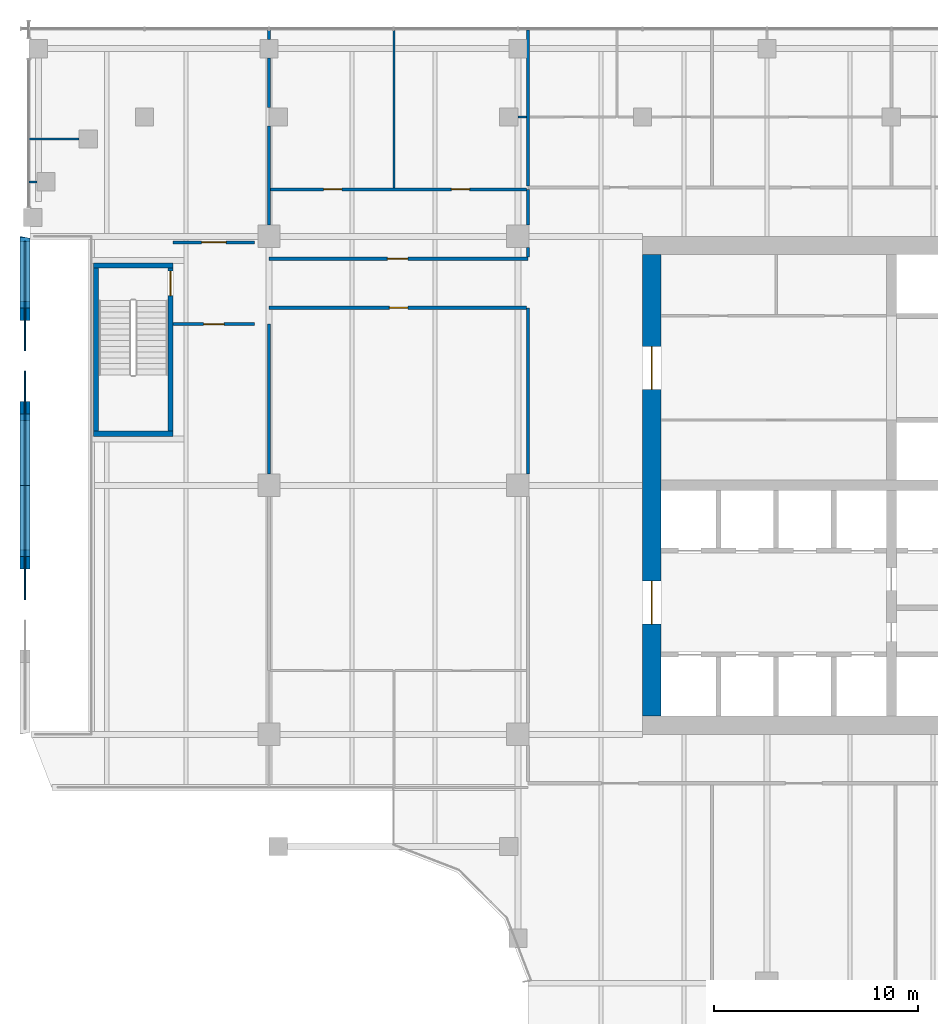
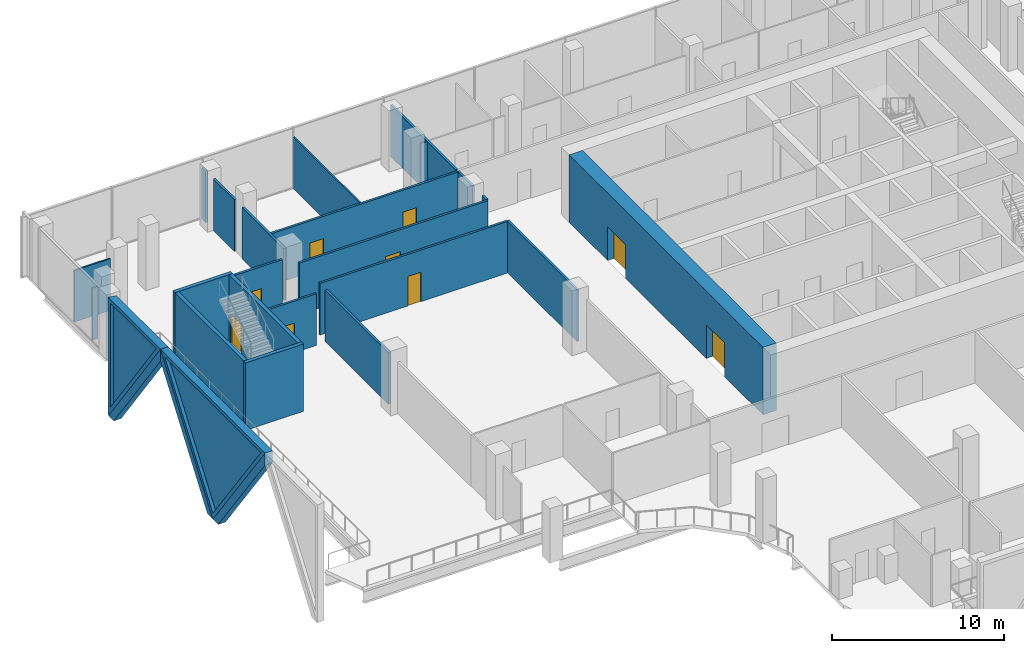
# One storey, part 23 of 33: 27 walls, 9 doors, 2 plates, 11 openings.
"""IFC4 building model written with IfcOpenShell, lengths in metres."""

from ifc_helpers import new_model, si_unit, direction, frame, frame_2d, origin, place, context, subcontext, project, spatial, polyline, rectangle, outline, extrude, faceted_brep, source, transform, mapped, material, layer, layer_set, type_object, element, fill, save


model = new_model("IFC4")

# Units and contexts
model_context = context("Model", 3, precision=1e-05, world=origin(), true_north=direction((0.0, 1.0)))
body_context = subcontext(model_context, "Body", "Model", "MODEL_VIEW")
ifc_project = project(units=[si_unit("LENGTHUNIT", "METRE"), si_unit("AREAUNIT", "SQUARE_METRE"), si_unit("VOLUMEUNIT", "CUBIC_METRE"), si_unit("PLANEANGLEUNIT", "RADIAN"), si_unit("MASSUNIT", "GRAM", prefix="KILO")], contexts=[model_context])

# Site, building, storey
site_placement = place(None, origin())
site = spatial("IfcSite", under=ifc_project, at=site_placement, CompositionType="ELEMENT")
building_placement = place(site_placement, origin())
building = spatial("IfcBuilding", under=site, at=building_placement, Name="Tessera Gate Towers", CompositionType="ELEMENT")
storey_placement = place(building_placement, frame((0.0, 0.0, 12.0)))
storey = spatial("IfcBuildingStorey", under=building, at=storey_placement, Name="L02", CompositionType="ELEMENT", Elevation=12.0)

# Walls
ifc_material_1 = material(Name="Concrete C40/50", Category="concrete")
ifc_layer_1 = layer(ifc_material_1, 0.25)
ifc_layer_set_1 = layer_set([ifc_layer_1], Name="CORE ENCLOSURE WALL 250")
wall_type_1 = type_object("IfcWallType", Name="CORE ENCLOSURE WALL 250", PredefinedType="SOLIDWALL", material=ifc_layer_set_1)
wall_1_placement = place(storey_placement, frame((7.5, 39.125, 0.0), z_axis=(0.0, 0.0, 1.0), x_axis=(-1.0, 0.0, 0.0)))
element("IfcWall", 1, at=wall_1_placement, inside=storey, type_object=wall_type_1, Name="L02 ST3 enclosure wall", PredefinedType="SOLIDWALL", context=body_context, shape_type="SweptSolid", body=[
    extrude(rectangle(XDim=3.89990234375, YDim=0.25, at=frame_2d((1.949951171875, 0.0))), origin(), (0.0, 0.0, 1.0), 4.800048828125),
])
wall_2_placement = place(storey_placement, frame((3.72509765625, 39.25, 0.0), z_axis=(0.0, 0.0, 1.0), x_axis=(0.0, 1.0, 0.0)))
element("IfcWall", 2, at=wall_2_placement, inside=storey, type_object=wall_type_1, Name="L02 ST3 enclosure wall", PredefinedType="SOLIDWALL", context=body_context, shape_type="SweptSolid", body=[
    extrude(rectangle(XDim=8.0, YDim=0.25, at=frame_2d((4.0, 0.0))), origin(), (0.0, 0.0, 1.0), 4.800048828125),
])
wall_3_placement = place(storey_placement, frame((3.60009765625, 47.375, 0.0), z_axis=(0.0, 0.0, 1.0), x_axis=(1.0, 0.0, 0.0)))
element("IfcWall", 3, at=wall_3_placement, inside=storey, type_object=wall_type_1, Name="L02 ST3 enclosure wall", PredefinedType="SOLIDWALL", context=body_context, shape_type="SweptSolid", body=[
    extrude(rectangle(XDim=3.89990234375, YDim=0.25, at=frame_2d((1.949951171875, 0.0))), origin(), (0.0, 0.0, 1.0), 4.800048828125),
])

# Wall, opening, door
wall_4_placement = place(storey_placement, frame((7.375, 47.25, 0.0), z_axis=(0.0, 0.0, 1.0), x_axis=(0.0, -1.0, 0.0)))
wall_4 = element("IfcWall", 4, at=wall_4_placement, inside=storey, type_object=wall_type_1, Name="L02 ST3 enclosure wall", PredefinedType="SOLIDWALL", context=body_context, shape_type="SweptSolid", body=[
    extrude(rectangle(XDim=8.0, YDim=0.25, at=frame_2d((4.0, 0.0))), origin(), (0.0, 0.0, 1.0), 4.800048828125),
])
shared_shape_1 = source(origin(), body_context, "Body", "SweptSolid", [
    extrude(rectangle(XDim=1.199951171875, YDim=2.10009765625, at=frame_2d((0.60009765625, 1.050048828125))), frame((0.0, 0.135009765625, 0.0), z_axis=(0.0, -1.0, 0.0), x_axis=(1.0, 0.0, 0.0)), (0.0, 0.0, 1.0), 0.27001953125),
])
opening_1_placement = place(wall_4_placement, frame((0.14990234375, 0.0, 0.0)))
opening_1 = element("IfcOpeningElement", 5, at=opening_1_placement, cuts=wall_4, Name="Opening SD-ST3-1", PredefinedType="OPENING", context=body_context, shape_type="MappedRepresentation", body=[
    mapped(shared_shape_1, transform((0.0, 0.0, 0.0), scale=1.0)),
])
ifc_material_2 = material(Name="Hollow steel fire door", Category="steel")
door_type_1 = type_object("IfcDoorType", Name="CORE DOOR SD 1200x2100", OperationType="NOTDEFINED", PredefinedType="DOOR", material=ifc_material_2)
shared_shape_2 = source(origin(), body_context, "Body", "SweptSolid", [
    extrude(rectangle(XDim=1.199951171875, YDim=2.10009765625, at=frame_2d((0.60009765625, 1.050048828125))), frame((0.0, 0.02490234375, 0.0), z_axis=(0.0, -1.0, 0.0), x_axis=(1.0, 0.0, 0.0)), (0.0, 0.0, 1.0), 0.050048828125),
])
door_1_placement = place(opening_1_placement, origin())
door_1 = element("IfcDoor", 6, at=door_1_placement, inside=storey, type_object=door_type_1, Name="Stair door", OperationType="SINGLE_SWING_LEFT", OverallHeight=2.10009765625, OverallWidth=1.199951171875, PredefinedType="DOOR", context=body_context, shape_type="MappedRepresentation", body=[
    mapped(shared_shape_2, transform((0.0, 0.0, 0.0), scale=1.0)),
])
fill(opening_1, door_1)

# Wall, openings, doors
ifc_material_3 = material(Name="Concrete C70/85", Category="concrete")
ifc_layer_2 = layer(ifc_material_3, 0.89990234375)
ifc_layer_set_2 = layer_set([ifc_layer_2], Name="CORE SHEAR WALL 900 C70/85")
wall_type_2 = type_object("IfcWallType", Name="CORE SHEAR WALL 900 C70/85", PredefinedType="SHEAR", material=ifc_layer_set_2)
wall_5_placement = place(storey_placement, frame((30.949951171875, 25.300048828125, 0.0), z_axis=(0.0, 0.0, 1.0), x_axis=(0.0, 1.0, 0.0)))
wall_5 = element("IfcWall", 7, at=wall_5_placement, inside=storey, type_object=wall_type_2, Name="Core wall W L02", PredefinedType="SHEAR", context=body_context, shape_type="SweptSolid", body=[
    extrude(rectangle(XDim=22.599853515625, YDim=0.89990234375, at=frame_2d((11.2998046875, 0.0))), origin(), (0.0, 0.0, 1.0), 4.800048828125),
])
shared_shape_3 = source(origin(), body_context, "Body", "SweptSolid", [
    extrude(rectangle(XDim=2.10009765625, YDim=2.39990234375, at=frame_2d((1.050048828125, 1.199951171875))), frame((0.0, 0.4599609375, 0.0), z_axis=(0.0, -1.0, 0.0), x_axis=(1.0, 0.0, 0.0)), (0.0, 0.0, 1.0), 0.919921875),
])
opening_2_placement = place(wall_5_placement, frame((4.5, 0.0, 0.0)))
opening_2 = element("IfcOpeningElement", 8, at=opening_2_placement, cuts=wall_5, Name="Opening DD-T1-04-02", PredefinedType="OPENING", context=body_context, shape_type="MappedRepresentation", body=[
    mapped(shared_shape_3, transform((0.0, 0.0, 0.0), scale=1.0)),
])
opening_3_placement = place(wall_5_placement, frame((16.0, 0.0, 0.0)))
opening_3 = element("IfcOpeningElement", 9, at=opening_3_placement, cuts=wall_5, Name="Opening DD-T1-04-03", PredefinedType="OPENING", context=body_context, shape_type="MappedRepresentation", body=[
    mapped(shared_shape_3, transform((0.0, 0.0, 0.0), scale=1.0)),
])
ifc_material_4 = material(Name="Hollow steel fire door", Category="steel")
door_type_2 = type_object("IfcDoorType", Name="CORE DOOR DD 2100x2400", OperationType="NOTDEFINED", PredefinedType="DOOR", material=ifc_material_4)
shared_shape_4 = source(origin(), body_context, "Body", "SweptSolid", [
    extrude(rectangle(XDim=2.10009765625, YDim=2.39990234375, at=frame_2d((1.050048828125, 1.199951171875))), frame((0.0, 0.02490234375, 0.0), z_axis=(0.0, -1.0, 0.0), x_axis=(1.0, 0.0, 0.0)), (0.0, 0.0, 1.0), 0.050048828125),
])
door_2_placement = place(opening_2_placement, origin())
door_2 = element("IfcDoor", 10, at=door_2_placement, inside=storey, type_object=door_type_2, Name="Core entrance door", OperationType="DOUBLE_DOOR_SINGLE_SWING", OverallHeight=2.39990234375, OverallWidth=2.10009765625, PredefinedType="DOOR", context=body_context, shape_type="MappedRepresentation", body=[
    mapped(shared_shape_4, transform((0.0, 0.0, 0.0), scale=1.0)),
])
fill(opening_2, door_2)
door_3_placement = place(opening_3_placement, origin())
door_3 = element("IfcDoor", 11, at=door_3_placement, inside=storey, type_object=door_type_2, Name="Core entrance door", OperationType="DOUBLE_DOOR_SINGLE_SWING", OverallHeight=2.39990234375, OverallWidth=2.10009765625, PredefinedType="DOOR", context=body_context, shape_type="MappedRepresentation", body=[
    mapped(shared_shape_4, transform((0.0, 0.0, 0.0), scale=1.0)),
])
fill(opening_3, door_3)

# Wall
ifc_material_5 = material(Name="Gypsum board on steel studs, mineral wool", Category="steel")
ifc_layer_3 = layer(ifc_material_5, 0.14990234375)
ifc_layer_set_3 = layer_set([ifc_layer_3], Name="CORRIDOR WALL 150")
wall_type_3 = type_object("IfcWallType", Name="CORRIDOR WALL 150", PredefinedType="PARTITIONING", material=ifc_layer_set_3)
wall_6_placement = place(storey_placement, frame((24.89990234375, 37.15087890625, 0.0), z_axis=(0.0, 0.0, 1.0), x_axis=(0.0, 1.0, 0.0)))
element("IfcWall", 12, at=wall_6_placement, inside=storey, type_object=wall_type_3, Name="PODIUM-L02-PW-081", PredefinedType="PARTITIONING", context=body_context, shape_type="SweptSolid", body=[
    extrude(rectangle(XDim=8.149169921875, YDim=0.14990234375, at=frame_2d((4.07470703125, 0.0))), origin(), (0.0, 0.0, 1.0), 3.672119140625),
])

# Wall, opening, door
wall_7_placement = place(storey_placement, frame((11.5, 44.5, 0.0), z_axis=(0.0, 0.0, 1.0), x_axis=(-1.0, 0.0, 0.0)))
wall_7 = element("IfcWall", 13, at=wall_7_placement, inside=storey, type_object=wall_type_3, Name="PODIUM-L02-PW-087", PredefinedType="PARTITIONING", context=body_context, shape_type="SweptSolid", body=[
    extrude(rectangle(XDim=4.0, YDim=0.14990234375, at=frame_2d((2.0, 0.0))), origin(), (0.0, 0.0, 1.0), 3.672119140625),
])
shared_shape_5 = source(origin(), body_context, "Body", "SweptSolid", [
    extrude(rectangle(XDim=1.0, YDim=2.10009765625, at=frame_2d((0.5, 1.050048828125))), frame((0.0, 0.0849609375, 0.0), z_axis=(0.0, -1.0, 0.0), x_axis=(1.0, 0.0, 0.0)), (0.0, 0.0, 1.0), 0.169921875),
])
opening_4_placement = place(wall_7_placement, frame((1.5, 0.0, 0.0)))
opening_4 = element("IfcOpeningElement", 14, at=opening_4_placement, cuts=wall_7, Name="Opening D2100FD60-P03-01", PredefinedType="OPENING", context=body_context, shape_type="MappedRepresentation", body=[
    mapped(shared_shape_5, transform((0.0, 0.0, 0.0), scale=1.0)),
])
ifc_material_6 = material(Name="Timber door leaf in steel frame", Category="steel")
door_type_3 = type_object("IfcDoorType", Name="TENANCY ENTRANCE DOOR 1000 FD60", OperationType="NOTDEFINED", PredefinedType="DOOR", material=ifc_material_6)
shared_shape_6 = source(origin(), body_context, "Body", "SweptSolid", [
    extrude(rectangle(XDim=1.0, YDim=2.10009765625, at=frame_2d((0.5, 1.050048828125))), frame((0.0, 0.02490234375, 0.0), z_axis=(0.0, -1.0, 0.0), x_axis=(1.0, 0.0, 0.0)), (0.0, 0.0, 1.0), 0.050048828125),
])
door_4_placement = place(opening_4_placement, origin())
door_4 = element("IfcDoor", 15, at=door_4_placement, inside=storey, type_object=door_type_3, Name="PODIUM-L02-PD-006", OperationType="SINGLE_SWING_RIGHT", OverallHeight=2.10009765625, OverallWidth=1.0, PredefinedType="DOOR", context=body_context, shape_type="MappedRepresentation", body=[
    mapped(shared_shape_6, transform((0.0, 0.0, 0.0), scale=1.0)),
])
fill(opening_4, door_4)

wall_8_placement = place(storey_placement, frame((24.823974609375, 45.300048828125, 0.0), z_axis=(0.0, 0.0, 1.0), x_axis=(-1.0, 0.0, 0.0)))
wall_8 = element("IfcWall", 16, at=wall_8_placement, inside=storey, type_object=wall_type_3, Name="PODIUM-L02-PW-088", PredefinedType="PARTITIONING", context=body_context, shape_type="SweptSolid", body=[
    extrude(rectangle(XDim=12.6240234375, YDim=0.14990234375, at=frame_2d((6.31201171875, 0.0))), origin(), (0.0, 0.0, 1.0), 3.672119140625),
])
shared_shape_7 = source(origin(), body_context, "Body", "SweptSolid", [
    extrude(rectangle(XDim=0.89990234375, YDim=2.10009765625, at=frame_2d((0.449951171875, 1.050048828125))), frame((0.0, 0.0849609375, 0.0), z_axis=(0.0, -1.0, 0.0), x_axis=(1.0, 0.0, 0.0)), (0.0, 0.0, 1.0), 0.169921875),
])
opening_5_placement = place(wall_8_placement, frame((5.823974609375, 0.0, 0.0)))
opening_5 = element("IfcOpeningElement", 17, at=opening_5_placement, cuts=wall_8, Name="Opening D890FD60-P03-09", PredefinedType="OPENING", context=body_context, shape_type="MappedRepresentation", body=[
    mapped(shared_shape_7, transform((0.0, 0.0, 0.0), scale=1.0)),
])
ifc_material_7 = material(Name="Timber door leaf in steel frame", Category="steel")
door_type_4 = type_object("IfcDoorType", Name="CORRIDOR DOOR 900 FD60", OperationType="NOTDEFINED", PredefinedType="DOOR", material=ifc_material_7)
shared_shape_8 = source(origin(), body_context, "Body", "SweptSolid", [
    extrude(rectangle(XDim=0.89990234375, YDim=2.10009765625, at=frame_2d((0.449951171875, 1.050048828125))), frame((0.0, 0.02490234375, 0.0), z_axis=(0.0, -1.0, 0.0), x_axis=(1.0, 0.0, 0.0)), (0.0, 0.0, 1.0), 0.050048828125),
])
door_5_placement = place(opening_5_placement, origin())
door_5 = element("IfcDoor", 18, at=door_5_placement, inside=storey, type_object=door_type_4, Name="PODIUM-L02-PD-056", OperationType="SINGLE_SWING_RIGHT", OverallHeight=2.10009765625, OverallWidth=0.89990234375, PredefinedType="DOOR", context=body_context, shape_type="MappedRepresentation", body=[
    mapped(shared_shape_8, transform((0.0, 0.0, 0.0), scale=1.0)),
])
fill(opening_5, door_5)

wall_9_placement = place(storey_placement, frame((12.199951171875, 47.699951171875, 0.0), z_axis=(0.0, 0.0, 1.0), x_axis=(1.0, 0.0, 0.0)))
wall_9 = element("IfcWall", 19, at=wall_9_placement, inside=storey, type_object=wall_type_3, Name="PODIUM-L02-PW-089", PredefinedType="PARTITIONING", context=body_context, shape_type="SweptSolid", body=[
    extrude(rectangle(XDim=12.699951171875, YDim=0.14990234375, at=frame_2d((6.35009765625, 0.0))), origin(), (0.0, 0.0, 1.0), 3.672119140625),
])
opening_6_placement = place(wall_9_placement, frame((5.800048828125, 0.0, 0.0)))
opening_6 = element("IfcOpeningElement", 20, at=opening_6_placement, cuts=wall_9, Name="Opening D2100FD60-P03-07", PredefinedType="OPENING", context=body_context, shape_type="MappedRepresentation", body=[
    mapped(shared_shape_5, transform((0.0, 0.0, 0.0), scale=1.0)),
])
door_6_placement = place(opening_6_placement, origin())
door_6 = element("IfcDoor", 21, at=door_6_placement, inside=storey, type_object=door_type_3, Name="PODIUM-L02-PD-057", OperationType="SINGLE_SWING_LEFT", OverallHeight=2.10009765625, OverallWidth=1.0, PredefinedType="DOOR", context=body_context, shape_type="MappedRepresentation", body=[
    mapped(shared_shape_6, transform((0.0, 0.0, 0.0), scale=1.0)),
])
fill(opening_6, door_6)

# Wall
wall_10_placement = place(storey_placement, frame((24.89990234375, 47.77587890625, 0.0), z_axis=(0.0, 0.0, 1.0), x_axis=(0.0, 1.0, 0.0)))
element("IfcWall", 22, at=wall_10_placement, inside=storey, type_object=wall_type_3, Name="PODIUM-L02-PW-090", PredefinedType="PARTITIONING", context=body_context, shape_type="SweptSolid", body=[
    extrude(rectangle(XDim=0.47314453125, YDim=0.14990234375, at=frame_2d((0.236572265625, 0.0))), origin(), (0.0, 0.0, 1.0), 3.672119140625),
])

# Wall, opening, door
wall_11_placement = place(storey_placement, frame((7.5, 48.5, 0.0), z_axis=(0.0, 0.0, 1.0), x_axis=(1.0, 0.0, 0.0)))
wall_11 = element("IfcWall", 23, at=wall_11_placement, inside=storey, type_object=wall_type_3, Name="PODIUM-L02-PW-091", PredefinedType="PARTITIONING", context=body_context, shape_type="SweptSolid", body=[
    extrude(rectangle(XDim=4.0, YDim=0.14990234375, at=frame_2d((2.0, 0.0))), origin(), (0.0, 0.0, 1.0), 3.672119140625),
])
shared_shape_9 = source(origin(), body_context, "Body", "SweptSolid", [
    extrude(rectangle(XDim=1.199951171875, YDim=2.10009765625, at=frame_2d((0.60009765625, 1.050048828125))), frame((0.0, 0.0849609375, 0.0), z_axis=(0.0, -1.0, 0.0), x_axis=(1.0, 0.0, 0.0)), (0.0, 0.0, 1.0), 0.169921875),
])
opening_7_placement = place(wall_11_placement, frame((1.39990234375, 0.0, 0.0)))
opening_7 = element("IfcOpeningElement", 24, at=opening_7_placement, cuts=wall_11, Name="Opening D2120FD60-P03-01", PredefinedType="OPENING", context=body_context, shape_type="MappedRepresentation", body=[
    mapped(shared_shape_9, transform((0.0, 0.0, 0.0), scale=1.0)),
])
ifc_material_8 = material(Name="Timber door leaf in steel frame", Category="steel")
door_type_5 = type_object("IfcDoorType", Name="TENANCY ENTRANCE DOOR 1200 FD60", OperationType="NOTDEFINED", PredefinedType="DOOR", material=ifc_material_8)
door_7_placement = place(opening_7_placement, origin())
door_7 = element("IfcDoor", 25, at=door_7_placement, inside=storey, type_object=door_type_5, Name="PODIUM-L02-PD-005", OperationType="SINGLE_SWING_LEFT", OverallHeight=2.10009765625, OverallWidth=1.199951171875, PredefinedType="DOOR", context=body_context, shape_type="MappedRepresentation", body=[
    mapped(shared_shape_2, transform((0.0, 0.0, 0.0), scale=1.0)),
])
fill(opening_7, door_7)

# Walls
wall_12_placement = place(storey_placement, frame((24.89990234375, 49.35107421875, 0.0), z_axis=(0.0, 0.0, 1.0), x_axis=(0.0, 1.0, 0.0)))
element("IfcWall", 26, at=wall_12_placement, inside=storey, type_object=wall_type_3, Name="PODIUM-L02-PW-102", PredefinedType="PARTITIONING", context=body_context, shape_type="SweptSolid", body=[
    extrude(rectangle(XDim=1.7490234375, YDim=0.14990234375, at=frame_2d((0.87451171875, 0.0))), origin(), (0.0, 0.0, 1.0), 3.672119140625),
])
ifc_material_9 = material(Name="Gypsum board on steel studs", Category="steel")
ifc_layer_4 = layer(ifc_material_9, 0.10009765625)
ifc_layer_set_4 = layer_set([ifc_layer_4], Name="PARTITION 100")
wall_type_4 = type_object("IfcWallType", Name="PARTITION 100", PredefinedType="PARTITIONING", material=ifc_layer_set_4)
wall_13_placement = place(storey_placement, frame((18.3349609375, 51.176025390625, 0.0), z_axis=(0.0, 0.0, 1.0), x_axis=(0.0, 1.0, 0.0)))
element("IfcWall", 27, at=wall_13_placement, inside=storey, type_object=wall_type_4, Name="PODIUM-L02-PW-106", PredefinedType="PARTITIONING", context=body_context, shape_type="SweptSolid", body=[
    extrude(rectangle(XDim=7.723876953125, YDim=0.10009765625, at=frame_2d((3.86181640625, 0.0))), origin(), (0.0, 0.0, 1.0), 3.672119140625),
])
wall_14_placement = place(storey_placement, frame((0.823974609375, 51.468994140625, 0.0), z_axis=(0.0, 0.0, 1.0), x_axis=(-1.0, 0.0, 0.0)))
element("IfcWall", 28, at=wall_14_placement, inside=storey, type_object=wall_type_4, Name="PODIUM-L02-PW-117", PredefinedType="PARTITIONING", context=body_context, shape_type="SweptSolid", body=[
    extrude(rectangle(XDim=0.3740234375, YDim=0.10009765625, at=frame_2d((0.18701171875, 0.0))), origin(), (0.0, 0.0, 1.0), 3.672119140625),
])
wall_15_placement = place(storey_placement, frame((2.89404296875, 53.569091796875, 0.0), z_axis=(0.0, 0.0, 1.0), x_axis=(-1.0, 0.0, 0.0)))
element("IfcWall", 29, at=wall_15_placement, inside=storey, type_object=wall_type_4, Name="PODIUM-L02-PW-118", PredefinedType="PARTITIONING", context=body_context, shape_type="SweptSolid", body=[
    extrude(rectangle(XDim=2.444091796875, YDim=0.10009765625, at=frame_2d((1.22216796875, 0.0))), origin(), (0.0, 0.0, 1.0), 3.672119140625),
])
wall_16_placement = place(storey_placement, frame((24.39990234375, 54.64990234375, 0.0), z_axis=(0.0, 0.0, 1.0), x_axis=(1.0, 0.0, 0.0)))
element("IfcWall", 30, at=wall_16_placement, inside=storey, type_object=wall_type_4, Name="PODIUM-L02-PW-122", PredefinedType="PARTITIONING", context=body_context, shape_type="SweptSolid", body=[
    extrude(rectangle(XDim=0.425048828125, YDim=0.10009765625, at=frame_2d((0.21240234375, 0.0))), origin(), (0.0, 0.0, 1.0), 3.672119140625),
])
ifc_material_10 = material(Name="Gypsum board on steel studs, mineral wool", Category="steel")
ifc_layer_5 = layer(ifc_material_10, 0.14990234375)
ifc_layer_set_5 = layer_set([ifc_layer_5], Name="TENANCY WALL 150")
wall_type_5 = type_object("IfcWallType", Name="TENANCY WALL 150", PredefinedType="PARTITIONING", material=ifc_layer_set_5)
wall_17_placement = place(storey_placement, frame((12.199951171875, 37.15087890625, 0.0), z_axis=(0.0, 0.0, 1.0), x_axis=(0.0, 1.0, 0.0)))
element("IfcWall", 31, at=wall_17_placement, inside=storey, type_object=wall_type_5, Name="PODIUM-L02-PW-080", PredefinedType="PARTITIONING", context=body_context, shape_type="SweptSolid", body=[
    extrude(rectangle(XDim=7.34912109375, YDim=0.14990234375, at=frame_2d((3.674560546875, 0.0))), origin(), (0.0, 0.0, 1.0), 3.672119140625),
])
wall_18_placement = place(storey_placement, frame((12.199951171875, 49.35107421875, 0.0), z_axis=(0.0, 0.0, 1.0), x_axis=(0.0, 1.0, 0.0)))
element("IfcWall", 32, at=wall_18_placement, inside=storey, type_object=wall_type_5, Name="PODIUM-L02-PW-101", PredefinedType="PARTITIONING", context=body_context, shape_type="SweptSolid", body=[
    extrude(rectangle(XDim=4.847900390625, YDim=0.14990234375, at=frame_2d((2.423828125, 0.0))), origin(), (0.0, 0.0, 1.0), 3.672119140625),
])

# Wall, openings, doors
wall_19_placement = place(storey_placement, frame((12.27587890625, 51.10009765625, 0.0), z_axis=(0.0, 0.0, 1.0), x_axis=(1.0, 0.0, 0.0)))
wall_19 = element("IfcWall", 33, at=wall_19_placement, inside=storey, type_object=wall_type_5, Name="PODIUM-L02-PW-105", PredefinedType="PARTITIONING", context=body_context, shape_type="SweptSolid", body=[
    extrude(rectangle(XDim=12.548095703125, YDim=0.14990234375, at=frame_2d((6.27392578125, 0.0))), origin(), (0.0, 0.0, 1.0), 3.672119140625),
])
opening_8_placement = place(wall_19_placement, frame((2.60009765625, 0.0, 0.0)))
opening_8 = element("IfcOpeningElement", 34, at=opening_8_placement, cuts=wall_19, Name="Opening D190-P03-18", PredefinedType="OPENING", context=body_context, shape_type="MappedRepresentation", body=[
    mapped(shared_shape_7, transform((0.0, 0.0, 0.0), scale=1.0)),
])
opening_9_placement = place(wall_19_placement, frame((8.859375, 0.0, 0.0)))
opening_9 = element("IfcOpeningElement", 35, at=opening_9_placement, cuts=wall_19, Name="Opening D190-P03-19", PredefinedType="OPENING", context=body_context, shape_type="MappedRepresentation", body=[
    mapped(shared_shape_7, transform((0.0, 0.0, 0.0), scale=1.0)),
])
ifc_material_11 = material(Name="Timber door leaf in steel frame", Category="steel")
door_type_6 = type_object("IfcDoorType", Name="INTERNAL DOOR 900 NOT RATED", OperationType="NOTDEFINED", PredefinedType="DOOR", material=ifc_material_11)
door_8_placement = place(opening_8_placement, origin())
door_8 = element("IfcDoor", 36, at=door_8_placement, inside=storey, type_object=door_type_6, Name="PODIUM-L02-PD-030", OperationType="SINGLE_SWING_LEFT", OverallHeight=2.10009765625, OverallWidth=0.89990234375, PredefinedType="DOOR", context=body_context, shape_type="MappedRepresentation", body=[
    mapped(shared_shape_8, transform((0.0, 0.0, 0.0), scale=1.0)),
])
fill(opening_8, door_8)
door_9_placement = place(opening_9_placement, origin())
door_9 = element("IfcDoor", 37, at=door_9_placement, inside=storey, type_object=door_type_6, Name="PODIUM-L02-PD-032", OperationType="SINGLE_SWING_LEFT", OverallHeight=2.10009765625, OverallWidth=0.89990234375, PredefinedType="DOOR", context=body_context, shape_type="MappedRepresentation", body=[
    mapped(shared_shape_8, transform((0.0, 0.0, 0.0), scale=1.0)),
])
fill(opening_9, door_9)

# Walls
wall_20_placement = place(storey_placement, frame((24.89990234375, 51.27587890625, 0.0), z_axis=(0.0, 0.0, 1.0), x_axis=(0.0, 1.0, 0.0)))
element("IfcWall", 38, at=wall_20_placement, inside=storey, type_object=wall_type_5, Name="PODIUM-L02-PW-112", PredefinedType="PARTITIONING", context=body_context, shape_type="SweptSolid", body=[
    extrude(rectangle(XDim=7.6240234375, YDim=0.14990234375, at=frame_2d((3.81201171875, 0.0))), origin(), (0.0, 0.0, 1.0), 3.672119140625),
])
wall_21_placement = place(storey_placement, frame((12.199951171875, 55.10107421875, 0.0), z_axis=(0.0, 0.0, 1.0), x_axis=(0.0, 1.0, 0.0)))
element("IfcWall", 39, at=wall_21_placement, inside=storey, type_object=wall_type_5, Name="PODIUM-L02-PW-134", PredefinedType="PARTITIONING", context=body_context, shape_type="SweptSolid", body=[
    extrude(rectangle(XDim=2.447998046875, YDim=0.14990234375, at=frame_2d((1.22412109375, 0.0))), origin(), (0.0, 0.0, 1.0), 3.672119140625),
])
wall_22_placement = place(storey_placement, frame((12.199951171875, 58.450927734375, 0.0), z_axis=(0.0, 0.0, 1.0), x_axis=(0.0, 1.0, 0.0)))
element("IfcWall", 40, at=wall_22_placement, inside=storey, type_object=wall_type_5, Name="PODIUM-L02-PW-136", PredefinedType="PARTITIONING", context=body_context, shape_type="SweptSolid", body=[
    extrude(rectangle(XDim=0.448974609375, YDim=0.14990234375, at=frame_2d((0.224609375, 0.0))), origin(), (0.0, 0.0, 1.0), 3.672119140625),
])

# Wall, opening, plate
ifc_material_12 = material(Name="Precast concrete C60/75 white", Category="concrete")
ifc_layer_6 = layer(ifc_material_12, 0.5)
ifc_layer_set_6 = layer_set([ifc_layer_6], Name="TB2 foot infill panel")
wall_type_6 = type_object("IfcWallType", Name="TB2 foot infill panel", PredefinedType="SOLIDWALL", material=ifc_layer_set_6)
shared_shape_10 = source(origin(), body_context, "Body", "Brep", [
    faceted_brep([(0.046630859375, -0.25, 0.0), (6.10009765625, -0.25, 8.400146484375), (0.0, -0.25, 8.400146484375), (0.0, -0.25, 0.06640625), (0.09326171875, 0.25, 8.400146484375), (6.10009765625, 0.25, 8.400146484375), (0.09326171875, 0.25, 0.064697265625), (0.046630859375, 0.0, 0.0)], [[[0, 1, 2, 3]], [[4, 5, 6]], [[6, 5, 1, 0, 7]], [[5, 4, 2, 1]], [[7, 0, 3]], [[6, 7, 3, 2, 4]]]),
])
wall_23_placement = place(storey_placement, frame((0.25, 48.800048828125, -3.60009765625), z_axis=(0.0, 0.0, 1.0), x_axis=(0.0, -1.0, 0.0)))
wall_23 = element("IfcWall", 41, at=wall_23_placement, inside=storey, type_object=wall_type_6, Name="Foot infill panel T1 TB2-0004", PredefinedType="SOLIDWALL", context=body_context, shape_type="MappedRepresentation", body=[
    mapped(shared_shape_10, transform((0.0, 0.0, 0.0), scale=1.0)),
])
shared_shape_11 = source(origin(), body_context, "Body", "SweptSolid", [
    extrude(outline(polyline([(0.24658203125, 0.705322265625), (5.61181640625, 8.150146484375), (0.24658203125, 8.150146484375), (0.24658203125, 0.705322265625)])), frame((0.0, 0.260009765625, 0.0), z_axis=(0.0, -1.0, 0.0), x_axis=(1.0, 0.0, 0.0)), (0.0, 0.0, 1.0), 0.52001953125),
])
opening_10_placement = place(wall_23_placement, origin())
opening_10 = element("IfcOpeningElement", 42, at=opening_10_placement, cuts=wall_23, Name="Opening T1-PL1-0567", PredefinedType="OPENING", context=body_context, shape_type="MappedRepresentation", body=[
    mapped(shared_shape_11, transform((0.0, 0.0, 0.0), scale=1.0)),
])
ifc_material_13 = material(Name="Low-e laminated glass", Category="glass")
ifc_layer_7 = layer(ifc_material_13, 0.06005859375)
ifc_layer_set_7 = layer_set([ifc_layer_7], Name="PL1 triangular pane")
plate_type = type_object("IfcPlateType", Name="PL1 triangular pane", PredefinedType="SHEET", material=ifc_layer_set_7)
shared_shape_12 = source(origin(), body_context, "Body", "SweptSolid", [
    extrude(outline(polyline([(0.24658203125, 0.705322265625), (5.61181640625, 8.150146484375), (0.24658203125, 8.150146484375), (0.24658203125, 0.705322265625)])), frame((0.0, 0.030029296875, 0.0), z_axis=(0.0, -1.0, 0.0), x_axis=(1.0, 0.0, 0.0)), (0.0, 0.0, 1.0), 0.06005859375),
])
plate_1_placement = place(opening_10_placement, origin())
plate_1 = element("IfcPlate", 43, at=plate_1_placement, inside=storey, type_object=plate_type, Name="Glass pane T1 PL1-0567", PredefinedType="SHEET", context=body_context, shape_type="MappedRepresentation", body=[
    mapped(shared_shape_12, transform((0.0, 0.0, 0.0), scale=1.0)),
])
fill(opening_10, plate_1)

shared_shape_13 = source(origin(), body_context, "Body", "SweptSolid", [
    extrude(outline(polyline([(6.10009765625, 0.0), (12.199951171875, 8.400146484375), (0.0, 8.400146484375), (6.10009765625, 0.0)])), frame((0.0, 0.25, 0.0), z_axis=(0.0, -1.0, 0.0), x_axis=(1.0, 0.0, 0.0)), (0.0, 0.0, 1.0), 0.5),
])
wall_24_placement = place(storey_placement, frame((0.25, 42.699951171875, -3.60009765625), z_axis=(0.0, 0.0, 1.0), x_axis=(0.0, -1.0, 0.0)))
wall_24 = element("IfcWall", 44, at=wall_24_placement, inside=storey, type_object=wall_type_6, Name="Foot infill panel T1 TB2-0005", PredefinedType="SOLIDWALL", context=body_context, shape_type="MappedRepresentation", body=[
    mapped(shared_shape_13, transform((0.0, 0.0, 0.0), scale=1.0)),
])
shared_shape_14 = source(origin(), body_context, "Body", "SweptSolid", [
    extrude(outline(polyline([(6.10009765625, 0.425537109375), (11.70947265625, 8.150146484375), (0.490478515625, 8.150146484375), (6.10009765625, 0.425537109375)])), frame((0.0, 0.260009765625, 0.0), z_axis=(0.0, -1.0, 0.0), x_axis=(1.0, 0.0, 0.0)), (0.0, 0.0, 1.0), 0.52001953125),
])
opening_11_placement = place(wall_24_placement, origin())
opening_11 = element("IfcOpeningElement", 45, at=opening_11_placement, cuts=wall_24, Name="Opening T1-PL1-0568", PredefinedType="OPENING", context=body_context, shape_type="MappedRepresentation", body=[
    mapped(shared_shape_14, transform((0.0, 0.0, 0.0), scale=1.0)),
])
shared_shape_15 = source(origin(), body_context, "Body", "SweptSolid", [
    extrude(outline(polyline([(6.10009765625, 0.425537109375), (11.70947265625, 8.150146484375), (0.490478515625, 8.150146484375), (6.10009765625, 0.425537109375)])), frame((0.0, 0.030029296875, 0.0), z_axis=(0.0, -1.0, 0.0), x_axis=(1.0, 0.0, 0.0)), (0.0, 0.0, 1.0), 0.06005859375),
])
plate_2_placement = place(opening_11_placement, origin())
plate_2 = element("IfcPlate", 46, at=plate_2_placement, inside=storey, type_object=plate_type, Name="Glass pane T1 PL1-0568", PredefinedType="SHEET", context=body_context, shape_type="MappedRepresentation", body=[
    mapped(shared_shape_15, transform((0.0, 0.0, 0.0), scale=1.0)),
])
fill(opening_11, plate_2)

# Walls
ifc_material_14 = material(Name="Precast concrete C60/75 white", Category="concrete")
ifc_layer_8 = layer(ifc_material_14, 0.5)
ifc_layer_set_8 = layer_set([ifc_layer_8], Name="TB1 foot rib")
wall_type_7 = type_object("IfcWallType", Name="TB1 foot rib", PredefinedType="SOLIDWALL", material=ifc_layer_set_8)
shared_shape_16 = source(origin(), body_context, "Body", "Brep", [
    faceted_brep([(6.099853515625, -0.25, 0.000244140625), (0.0, -0.25, 8.400146484375), (0.0, -0.25, 7.549072265625), (5.482177734375, -0.25, 0.0), (6.099853515625, -0.25, 0.0), (5.482177734375, 0.25, 0.0), (0.0, 0.25, 7.549072265625), (0.0, 0.25, 8.400146484375), (6.099853515625, 0.25, 0.000244140625), (6.099853515625, 0.25, 0.0)], [[[0, 1, 2, 3, 4]], [[5, 6, 7, 8, 9]], [[8, 7, 1, 0]], [[7, 6, 2, 1]], [[6, 5, 3, 2]], [[5, 9, 4, 3]], [[4, 9, 8, 0]]]),
])
wall_25_placement = place(storey_placement, frame((0.25, 42.699951171875, -3.60009765625), z_axis=(0.0, 0.0, 1.0), x_axis=(0.0, -1.0, 0.0)))
element("IfcWall", 47, at=wall_25_placement, inside=storey, type_object=wall_type_7, Name="Foot rib T1 TB1-0010", PredefinedType="SOLIDWALL", context=body_context, shape_type="MappedRepresentation", body=[
    mapped(shared_shape_16, transform((0.0, 0.0, 0.0), scale=1.0)),
])
shared_shape_17 = source(origin(), body_context, "Body", "Brep", [
    faceted_brep([(6.053466796875, -0.25, 8.400146484375), (0.0, -0.25, 0.0), (0.61328125, -0.25, 0.0), (6.053466796875, -0.25, 7.549072265625), (6.053466796875, 0.25, 7.549072265625), (0.61328125, 0.25, 0.0), (0.046630859375, 0.25, 0.0), (0.046630859375, 0.25, 0.064697265625), (6.053466796875, 0.25, 8.400146484375), (0.0, 0.0, 0.0)], [[[0, 1, 2, 3]], [[4, 5, 6, 7, 8]], [[8, 7, 9, 1, 0]], [[6, 5, 2, 1, 9]], [[5, 4, 3, 2]], [[6, 9, 7]], [[3, 4, 8, 0]]]),
])
wall_26_placement = place(storey_placement, frame((0.25, 48.75341796875, -3.60009765625), z_axis=(0.0, 0.0, 1.0), x_axis=(0.0, -1.0, 0.0)))
element("IfcWall", 48, at=wall_26_placement, inside=storey, type_object=wall_type_7, Name="Foot rib T1 TB1-0011", PredefinedType="SOLIDWALL", context=body_context, shape_type="MappedRepresentation", body=[
    mapped(shared_shape_17, transform((0.0, 0.0, 0.0), scale=1.0)),
])
shared_shape_18 = source(origin(), body_context, "Body", "SweptSolid", [
    extrude(outline(polyline([(6.10009765625, 8.400146484375), (0.0, 0.0), (0.617919921875, 0.0), (6.10009765625, 7.549072265625), (6.10009765625, 8.400146484375)])), frame((0.0, 0.25, 0.0), z_axis=(0.0, -1.0, 0.0), x_axis=(1.0, 0.0, 0.0)), (0.0, 0.0, 1.0), 0.5),
])
wall_27_placement = place(storey_placement, frame((0.25, 36.60009765625, -3.60009765625), z_axis=(0.0, 0.0, 1.0), x_axis=(0.0, -1.0, 0.0)))
element("IfcWall", 49, at=wall_27_placement, inside=storey, type_object=wall_type_7, Name="Foot rib T1 TB1-0015", PredefinedType="SOLIDWALL", context=body_context, shape_type="MappedRepresentation", body=[
    mapped(shared_shape_18, transform((0.0, 0.0, 0.0), scale=1.0)),
])

save(model, "model.ifc")
